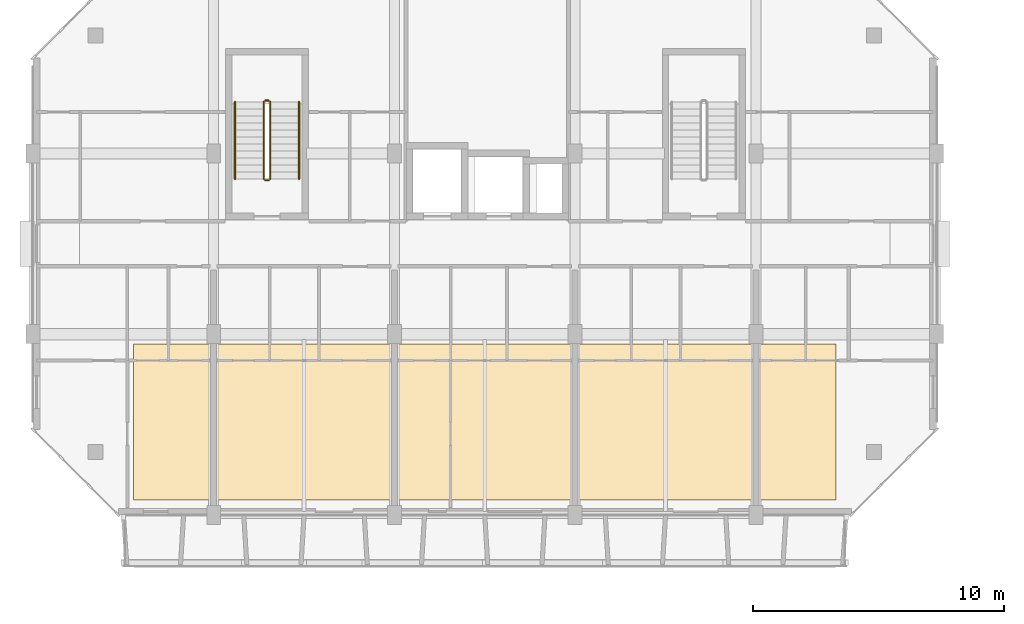
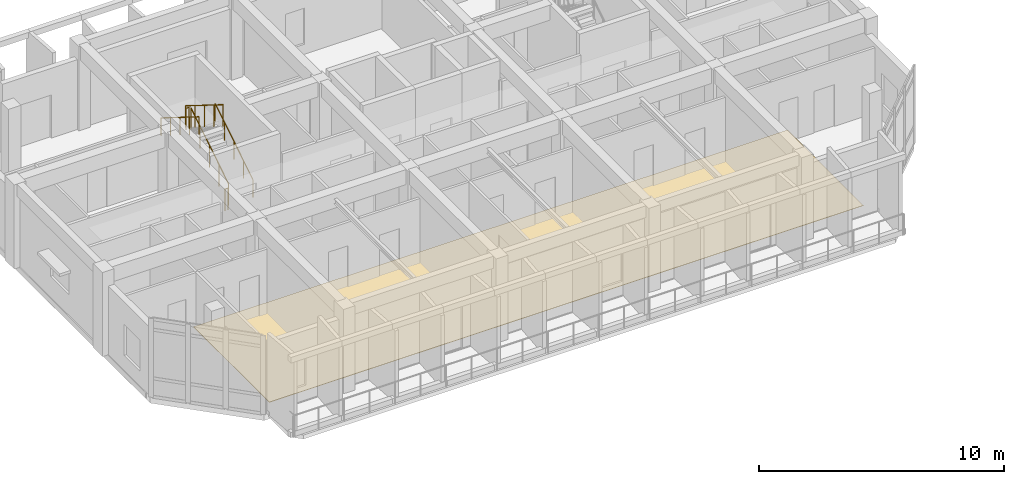
# One storey, part 69 of 85: 6 railings, 1 covering.
"""IFC4 building model written with IfcOpenShell, lengths in metres."""

from ifc_helpers import new_model, si_unit, direction, frame, origin, origin_2d, place, context, subcontext, project, spatial, polyline, circle, outline, extrude, material, layer, layer_set, type_object, element, save


model = new_model("IFC4")

# Units and contexts
model_context = context("Model", 3, precision=1e-05, world=origin(), true_north=direction((0.0, 1.0)))
body_context = subcontext(model_context, "Body", "Model", "MODEL_VIEW")
ifc_project = project(units=[si_unit("LENGTHUNIT", "METRE"), si_unit("AREAUNIT", "SQUARE_METRE"), si_unit("VOLUMEUNIT", "CUBIC_METRE"), si_unit("PLANEANGLEUNIT", "RADIAN"), si_unit("MASSUNIT", "GRAM", prefix="KILO")], contexts=[model_context])

# Site, building, storey
site_placement = place(None, origin())
site = spatial("IfcSite", under=ifc_project, at=site_placement, CompositionType="ELEMENT")
building_placement = place(site_placement, origin())
building = spatial("IfcBuilding", under=site, at=building_placement, Name="Ochrevale Crest", CompositionType="ELEMENT")
storey_placement = place(building_placement, frame((0.0, 0.0, 4.5)))
storey = spatial("IfcBuildingStorey", under=building, at=storey_placement, Name="L01", CompositionType="ELEMENT", Elevation=4.5)

# Covering
ifc_material_1 = material(Name="Engineered spotted-gum hardwood flooring", Category="wood")
ifc_layer = layer(ifc_material_1, 0.02001953125)
ifc_layer_set = layer_set([ifc_layer], Name="Engineered spotted-gum hardwood flooring")
covering_type = type_object("IfcCoveringType", Name="COV-FLR-TIM", PredefinedType="FLOORING", material=ifc_layer_set)
covering_placement = place(storey_placement, origin())
element("IfcCovering", 1, at=covering_placement, inside=storey, type_object=covering_type, Name="Block A L01 spotted-gum apartment flooring", PredefinedType="FLOORING", context=body_context, shape_type="SweptSolid", body=[
    extrude(outline(polyline([(4.0, 15.0), (32.0, 15.0), (32.0, 21.199951171875), (4.0, 21.199951171875), (4.0, 15.0)])), origin(), (0.0, 0.0, 1.0), 0.02001953125),
])

# Railings
ifc_material_2 = material(Name="Galvanised steel", Category="steel")
railing_type_1 = type_object("IfcRailingType", Name="RL-ST-GUARD", PredefinedType="BALUSTRADE", material=ifc_material_2)
railing_1_placement = place(storey_placement, frame((9.449951171875, 27.77490234375, 0.175048828125)))
element("IfcRailing", 2, at=railing_1_placement, inside=storey, type_object=railing_type_1, Name="L01 ST-A1 stair guard 1", PredefinedType="BALUSTRADE", context=body_context, shape_type="SweptSolid", body=[
    extrude(circle(Radius=0.02392578125, at=origin_2d()), frame((0.0, 0.0, 1.076171875), z_axis=(0.0, 0.847998304005, 0.529998940003), x_axis=(-1.0, 0.0, 0.0)), (0.0, 0.0, 1.0), 3.632080078125),
    extrude(circle(Radius=0.02099609375, at=origin_2d()), origin(), (0.0, 0.0, 1.0), 1.052001953125),
    extrude(circle(Radius=0.02099609375, at=origin_2d()), frame((0.0, 0.77001953125, 0.481201171875)), (0.0, 0.0, 1.0), 1.052001953125),
    extrude(circle(Radius=0.02099609375, at=origin_2d()), frame((0.0, 1.5400390625, 0.96240234375)), (0.0, 0.0, 1.0), 1.052001953125),
    extrude(circle(Radius=0.02099609375, at=origin_2d()), frame((0.0, 2.31005859375, 1.44384765625)), (0.0, 0.0, 1.0), 1.052001953125),
    extrude(circle(Radius=0.02099609375, at=origin_2d()), frame((0.0, 3.080078125, 1.925048828125)), (0.0, 0.0, 1.0), 1.052001953125),
])
railing_2_placement = place(storey_placement, frame((9.39990234375, 30.905029296875, 2.10009765625)))
element("IfcRailing", 3, at=railing_2_placement, inside=storey, type_object=railing_type_1, Name="L01 ST-A1 stair guard 2", PredefinedType="BALUSTRADE", context=body_context, shape_type="SweptSolid", body=[
    extrude(circle(Radius=0.02392578125, at=origin_2d()), frame((0.0, 0.0, 1.076171875), z_axis=(-1.0, 0.0, 0.0), x_axis=(0.0, -1.0, 0.0)), (0.0, 0.0, 1.0), 0.14990234375),
    extrude(circle(Radius=0.02099609375, at=origin_2d()), origin(), (0.0, 0.0, 1.0), 1.052001953125),
    extrude(circle(Radius=0.02099609375, at=origin_2d()), frame((-0.14990234375, 0.0, 0.0)), (0.0, 0.0, 1.0), 1.052001953125),
])
railing_3_placement = place(storey_placement, frame((9.199951171875, 30.85498046875, 2.27490234375)))
element("IfcRailing", 4, at=railing_3_placement, inside=storey, type_object=railing_type_1, Name="L01 ST-A1 stair guard 3", PredefinedType="BALUSTRADE", context=body_context, shape_type="SweptSolid", body=[
    extrude(circle(Radius=0.02392578125, at=origin_2d()), frame((0.0, 0.0, 1.076171875), z_axis=(0.0, -0.847998304005, 0.529998940003), x_axis=(1.0, 0.0, 0.0)), (0.0, 0.0, 1.0), 3.632080078125),
    extrude(circle(Radius=0.02099609375, at=origin_2d()), origin(), (0.0, 0.0, 1.0), 1.052001953125),
    extrude(circle(Radius=0.02099609375, at=origin_2d()), frame((0.0, -0.77001953125, 0.481201171875)), (0.0, 0.0, 1.0), 1.052001953125),
    extrude(circle(Radius=0.02099609375, at=origin_2d()), frame((0.0, -1.5400390625, 0.96240234375)), (0.0, 0.0, 1.0), 1.052001953125),
    extrude(circle(Radius=0.02099609375, at=origin_2d()), frame((0.0, -2.31005859375, 1.44384765625)), (0.0, 0.0, 1.0), 1.052001953125),
    extrude(circle(Radius=0.02099609375, at=origin_2d()), frame((0.0, -3.080078125, 1.925048828125)), (0.0, 0.0, 1.0), 1.052001953125),
])
railing_4_placement = place(storey_placement, frame((9.39990234375, 27.72509765625, 0.0)))
element("IfcRailing", 5, at=railing_4_placement, inside=storey, type_object=railing_type_1, Name="L01 ST-A1 stair guard 4", PredefinedType="BALUSTRADE", context=body_context, shape_type="SweptSolid", body=[
    extrude(circle(Radius=0.02392578125, at=origin_2d()), frame((0.0, 0.0, 1.076171875), z_axis=(-1.0, 0.0, 0.0), x_axis=(0.0, -1.0, 0.0)), (0.0, 0.0, 1.0), 0.14990234375),
    extrude(circle(Radius=0.02099609375, at=origin_2d()), origin(), (0.0, 0.0, 1.0), 1.052001953125),
    extrude(circle(Radius=0.02099609375, at=origin_2d()), frame((-0.14990234375, 0.0, 0.0)), (0.0, 0.0, 1.0), 1.052001953125),
])
ifc_material_3 = material(Name="Stainless steel", Category="steel")
railing_type_2 = type_object("IfcRailingType", Name="RL-ST-HRAIL", PredefinedType="HANDRAIL", material=ifc_material_3)
railing_5_placement = place(storey_placement, frame((10.60009765625, 27.77490234375, 0.175048828125)))
element("IfcRailing", 6, at=railing_5_placement, inside=storey, type_object=railing_type_2, Name="L01 ST-A1 stair handrail 1", PredefinedType="HANDRAIL", context=body_context, shape_type="SweptSolid", body=[
    extrude(circle(Radius=0.02392578125, at=origin_2d()), frame((0.0, 0.0, 0.8759765625), z_axis=(0.0, 0.847998304005, 0.529998940003), x_axis=(-1.0, 0.0, 0.0)), (0.0, 0.0, 1.0), 3.632080078125),
    extrude(circle(Radius=0.02099609375, at=origin_2d()), origin(), (0.0, 0.0, 1.0), 0.851806640625),
    extrude(circle(Radius=0.02099609375, at=origin_2d()), frame((0.0, 0.77001953125, 0.481201171875)), (0.0, 0.0, 1.0), 0.851806640625),
    extrude(circle(Radius=0.02099609375, at=origin_2d()), frame((0.0, 1.5400390625, 0.96240234375)), (0.0, 0.0, 1.0), 0.851806640625),
    extrude(circle(Radius=0.02099609375, at=origin_2d()), frame((0.0, 2.31005859375, 1.44384765625)), (0.0, 0.0, 1.0), 0.851806640625),
    extrude(circle(Radius=0.02099609375, at=origin_2d()), frame((0.0, 3.080078125, 1.925048828125)), (0.0, 0.0, 1.0), 0.851806640625),
])
railing_6_placement = place(storey_placement, frame((8.050048828125, 30.85498046875, 2.27490234375)))
element("IfcRailing", 7, at=railing_6_placement, inside=storey, type_object=railing_type_2, Name="L01 ST-A1 stair handrail 2", PredefinedType="HANDRAIL", context=body_context, shape_type="SweptSolid", body=[
    extrude(circle(Radius=0.02392578125, at=origin_2d()), frame((0.0, 0.0, 0.8759765625), z_axis=(0.0, -0.847998304005, 0.529998940003), x_axis=(1.0, 0.0, 0.0)), (0.0, 0.0, 1.0), 3.632080078125),
    extrude(circle(Radius=0.02099609375, at=origin_2d()), origin(), (0.0, 0.0, 1.0), 0.851806640625),
    extrude(circle(Radius=0.02099609375, at=origin_2d()), frame((0.0, -0.77001953125, 0.481201171875)), (0.0, 0.0, 1.0), 0.851806640625),
    extrude(circle(Radius=0.02099609375, at=origin_2d()), frame((0.0, -1.5400390625, 0.96240234375)), (0.0, 0.0, 1.0), 0.851806640625),
    extrude(circle(Radius=0.02099609375, at=origin_2d()), frame((0.0, -2.31005859375, 1.44384765625)), (0.0, 0.0, 1.0), 0.851806640625),
    extrude(circle(Radius=0.02099609375, at=origin_2d()), frame((0.0, -3.080078125, 1.925048828125)), (0.0, 0.0, 1.0), 0.851806640625),
])

save(model, "model.ifc")
